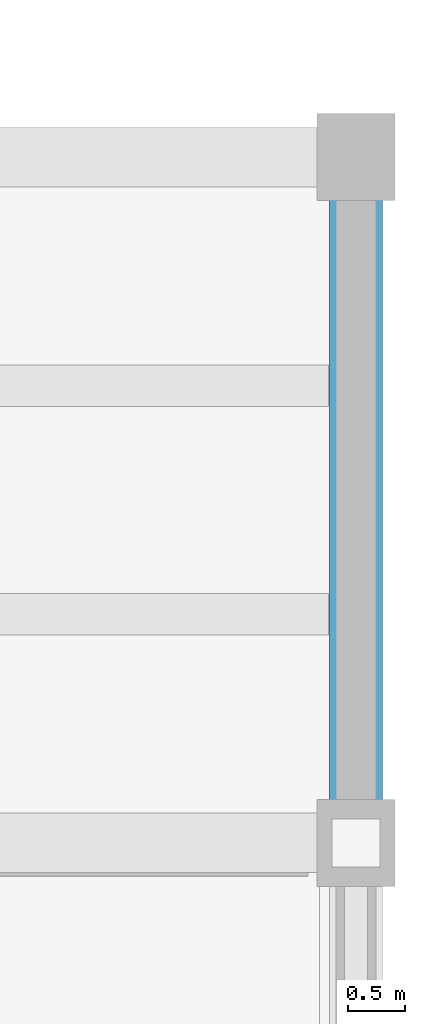
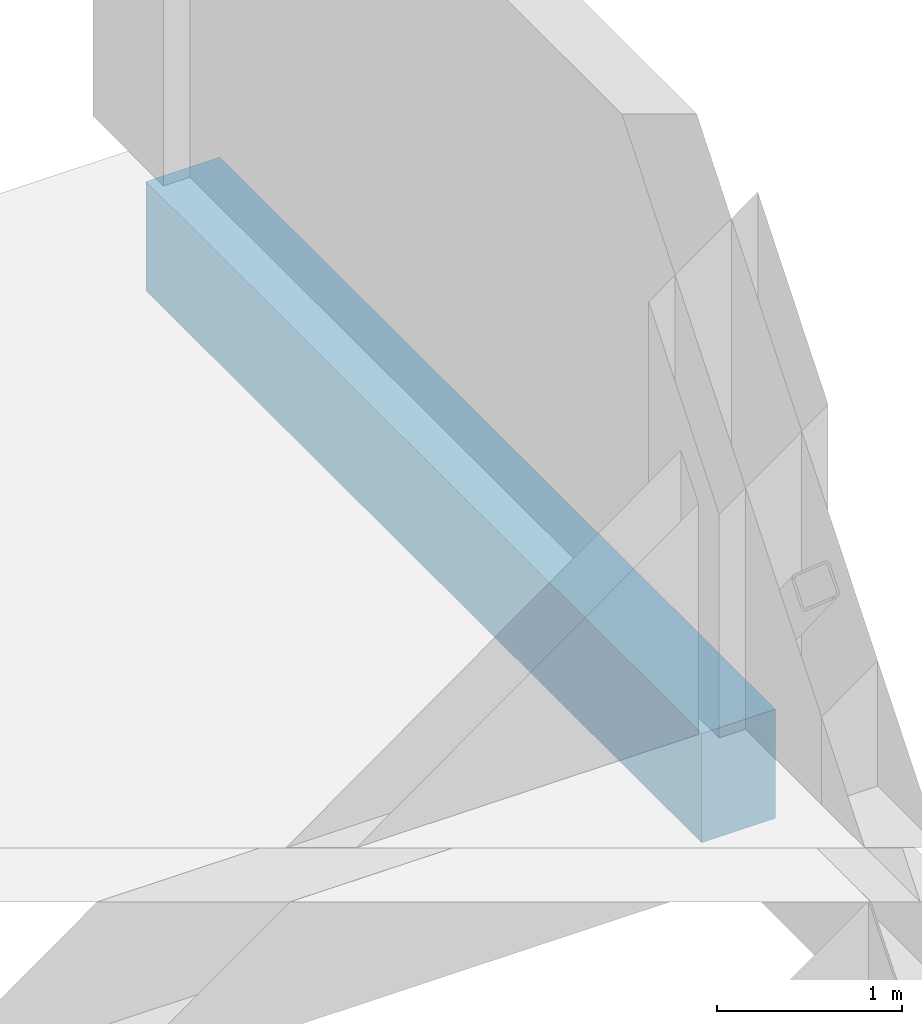
# One storey, part 32 of 85: 1 beam.
"""IFC4 building model written with IfcOpenShell, lengths in metres."""

from ifc_helpers import new_model, si_unit, direction, frame, origin, origin_2d, place, context, subcontext, project, spatial, rectangle, extrude, material, material_profile, profile_set, type_object, element, save


model = new_model("IFC4")

# Units and contexts
model_context = context("Model", 3, precision=1e-05, world=origin(), true_north=direction((0.0, 1.0)))
body_context = subcontext(model_context, "Body", "Model", "MODEL_VIEW")
ifc_project = project(units=[si_unit("LENGTHUNIT", "METRE"), si_unit("AREAUNIT", "SQUARE_METRE"), si_unit("VOLUMEUNIT", "CUBIC_METRE"), si_unit("PLANEANGLEUNIT", "RADIAN"), si_unit("MASSUNIT", "GRAM", prefix="KILO")], contexts=[model_context])

# Site, building, storey
site_placement = place(None, origin())
site = spatial("IfcSite", under=ifc_project, at=site_placement, CompositionType="ELEMENT")
building_placement = place(site_placement, origin())
building = spatial("IfcBuilding", under=site, at=building_placement, Name="Solvane Community Centre", CompositionType="ELEMENT")
storey_placement = place(building_placement, frame((0.0, 0.0, 5.39990234375)))
storey = spatial("IfcBuildingStorey", under=building, at=storey_placement, Name="L01", CompositionType="ELEMENT", Elevation=5.39990234375)

# Beam
ifc_material = material(Name="Concrete C35/45", Category="concrete")
ifc_material_profile = material_profile(ifc_material, rectangle(XDim=0.4599609375, YDim=0.719970703125, at=origin_2d()), Name="RC 460x720")
ifc_profile_set = profile_set([ifc_material_profile], Name="Concrete C35/45")
beam_type = type_object("IfcBeamType", Name="RC Cloister Beam 460x720", PredefinedType="BEAM", material=ifc_profile_set)
beam_placement = place(storey_placement, frame((168.0, 36.0, -0.599853515625), z_axis=(0.0, 1.0, 0.0), x_axis=(-1.0, 0.0, 0.0)))
element("IfcBeam", 1, at=beam_placement, inside=storey, type_object=beam_type, Name="Beam BM-L01-1680_360-1680_420", PredefinedType="BEAM", context=body_context, shape_type="SweptSolid", body=[
    extrude(rectangle(XDim=0.4599609375, YDim=0.719970703125, at=origin_2d()), origin(), (0.0, 0.0, 1.0), 6.0),
])

save(model, "model.ifc")
